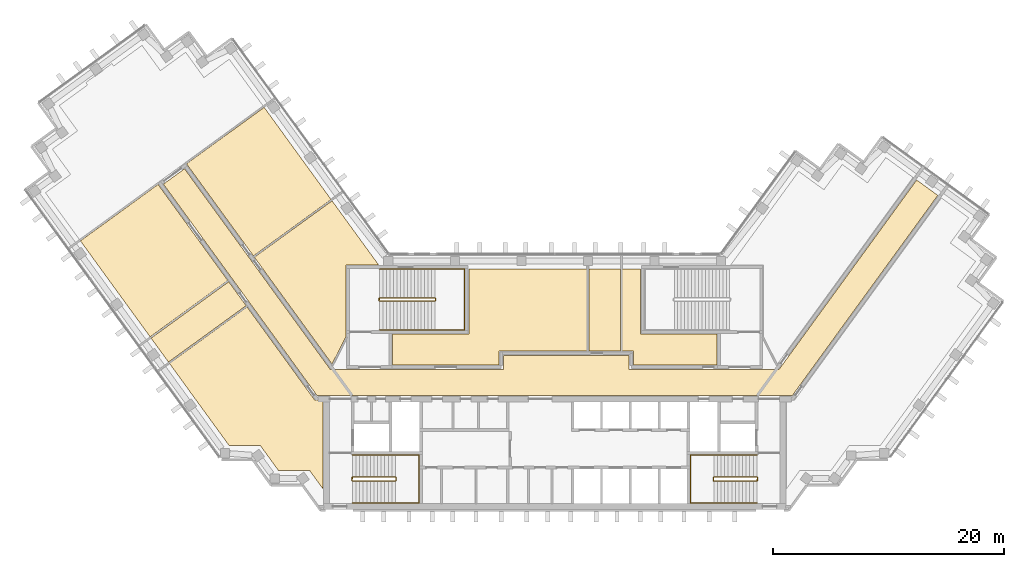
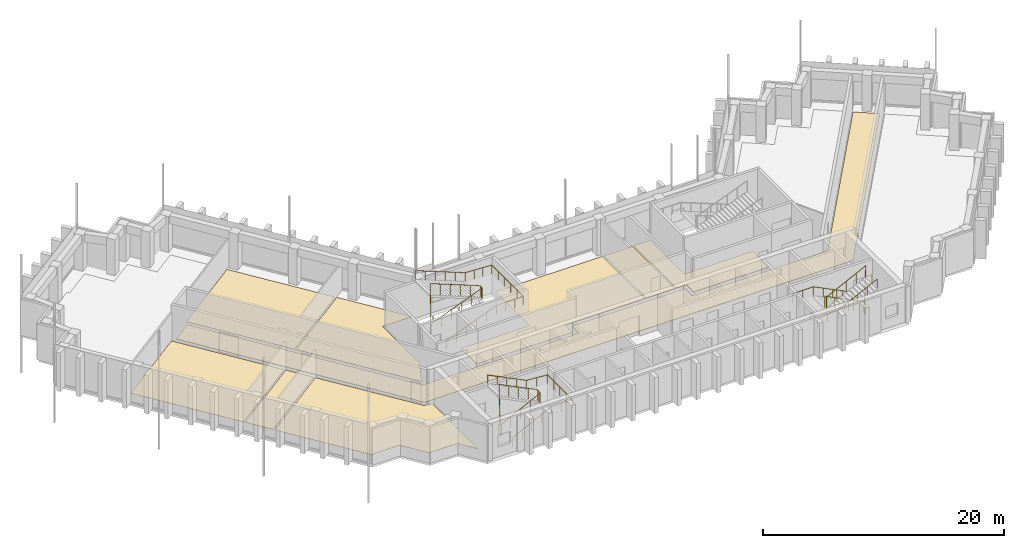
# One storey, part 11 of 12: 9 coverings, 6 railings.
"""IFC4 building model written with IfcOpenShell, lengths in metres."""

from ifc_helpers import new_model, si_unit, direction, frame, origin, origin_2d, place, context, subcontext, project, spatial, polyline, circle, outline, extrude, material, layer, layer_set, type_object, element, save


model = new_model("IFC4")

# Units and contexts
model_context = context("Model", 3, precision=1e-05, world=origin(), true_north=direction((0.0, 1.0)))
body_context = subcontext(model_context, "Body", "Model", "MODEL_VIEW")
ifc_project = project(units=[si_unit("LENGTHUNIT", "METRE"), si_unit("AREAUNIT", "SQUARE_METRE"), si_unit("VOLUMEUNIT", "CUBIC_METRE"), si_unit("PLANEANGLEUNIT", "RADIAN"), si_unit("MASSUNIT", "GRAM", prefix="KILO")], contexts=[model_context])

# Site, building, storey
site_placement = place(None, origin())
site = spatial("IfcSite", under=ifc_project, at=site_placement, CompositionType="ELEMENT")
building_placement = place(site_placement, origin())
building = spatial("IfcBuilding", under=site, at=building_placement, Name="Quipu Civic Tower", CompositionType="ELEMENT")
storey_placement = place(building_placement, frame((0.0, 0.0, 222.0)))
storey = spatial("IfcBuildingStorey", under=building, at=storey_placement, Name="L52", CompositionType="ELEMENT", Elevation=222.0)

# Coverings
ifc_material_1 = material(Name="Carpet tile on raised access floor")
ifc_layer_1 = layer(ifc_material_1, 0.02001953125)
ifc_layer_set_1 = layer_set([ifc_layer_1], Name="Carpet tile on raised access floor")
covering_type_1 = type_object("IfcCoveringType", Name="Carpet tile floor finish 20", PredefinedType="FLOORING", material=ifc_layer_set_1)
covering_1_placement = place(storey_placement, origin())
element("IfcCovering", 1, at=covering_1_placement, inside=storey, type_object=covering_type_1, Name="Carpet tile floor finish 20", PredefinedType="FLOORING", context=body_context, shape_type="SweptSolid", body=[
    extrude(outline(polyline([(-33.344970703125, 1.64501953125), (-26.6220703125, 6.529052734375), (-20.77490234375, -1.51904296875), (-20.070068359375, -1.52001953125), (-20.070068359375, -9.195068359375), (-21.196044921875, -7.64599609375), (-23.89501953125, -7.64599609375), (-25.48193359375, -5.4619140625), (-28.181884765625, -5.4609375), (-33.344970703125, 1.64501953125)])), origin(), (0.0, 0.0, 1.0), 0.02001953125),
])
covering_2_placement = place(storey_placement, origin())
element("IfcCovering", 2, at=covering_2_placement, inside=storey, type_object=covering_type_1, Name="Carpet tile floor finish 20", PredefinedType="FLOORING", context=body_context, shape_type="SweptSolid", body=[
    extrude(outline(polyline([(-14.030029296875, 1.52001953125), (-14.030029296875, 4.179931640625), (-7.429931640625, 4.180908203125), (-7.429931640625, 9.830078125), (2.80908203125, 9.830078125), (2.80908203125, 2.719970703125), (-4.818115234375, 2.719970703125), (-4.820068359375, 1.52001953125), (-14.030029296875, 1.52001953125)])), origin(), (0.0, 0.0, 1.0), 0.02001953125),
])
covering_3_placement = place(storey_placement, origin())
element("IfcCovering", 3, at=covering_3_placement, inside=storey, type_object=covering_type_1, Name="Carpet tile floor finish 20", PredefinedType="FLOORING", context=body_context, shape_type="SweptSolid", body=[
    extrude(outline(polyline([(-41.048095703125, 12.2470703125), (-34.324951171875, 17.131103515625), (-28.2919921875, 8.826904296875), (-35.01611328125, 3.943115234375), (-41.048095703125, 12.2470703125)])), origin(), (0.0, 0.0, 1.0), 0.02001953125),
])
covering_4_placement = place(storey_placement, origin())
element("IfcCovering", 4, at=covering_4_placement, inside=storey, type_object=covering_type_1, Name="Carpet tile floor finish 20", PredefinedType="FLOORING", context=body_context, shape_type="SweptSolid", body=[
    extrude(outline(polyline([(-31.865966796875, 18.9189453125), (-25.14306640625, 23.802978515625), (-19.35107421875, 15.8291015625), (-26.073974609375, 10.946044921875), (-31.865966796875, 18.9189453125)])), origin(), (0.0, 0.0, 1.0), 0.02001953125),
])
ifc_material_2 = material(Name="Ceramic floor tile")
ifc_layer_2 = layer(ifc_material_2, 0.030029296875)
ifc_layer_set_2 = layer_set([ifc_layer_2], Name="Ceramic floor tile")
covering_type_2 = type_object("IfcCoveringType", Name="Ceramic tile floor finish 30", PredefinedType="FLOORING", material=ifc_layer_set_2)
covering_5_placement = place(storey_placement, origin())
element("IfcCovering", 5, at=covering_5_placement, inside=storey, type_object=covering_type_2, Name="Ceramic tile floor finish 30", PredefinedType="FLOORING", context=body_context, shape_type="SweptSolid", body=[
    extrude(outline(polyline([(-25.990966796875, 10.8330078125), (-19.26806640625, 15.716064453125), (-15.238037109375, 10.169921875), (-18.070068359375, 10.1689453125), (-18.070068359375, 3.94189453125), (-19.27197265625, 1.583984375), (-25.990966796875, 10.8330078125)])), origin(), (0.0, 0.0, 1.0), 0.030029296875),
])
covering_6_placement = place(storey_placement, origin())
element("IfcCovering", 6, at=covering_6_placement, inside=storey, type_object=covering_type_2, Name="Ceramic tile floor finish 30", PredefinedType="FLOORING", context=body_context, shape_type="SweptSolid", body=[
    extrude(outline(polyline([(-34.931884765625, 3.830078125), (-28.208984375, 8.714111328125), (-26.705078125, 6.64208984375), (-33.427978515625, 1.758056640625), (-34.931884765625, 3.830078125)])), origin(), (0.0, 0.0, 1.0), 0.030029296875),
])
covering_7_placement = place(storey_placement, origin())
element("IfcCovering", 7, at=covering_7_placement, inside=storey, type_object=covering_type_2, Name="Ceramic tile floor finish 30", PredefinedType="FLOORING", context=body_context, shape_type="SweptSolid", body=[
    extrude(outline(polyline([(2.948974609375, 2.719970703125), (2.948974609375, 9.830078125), (5.68798828125, 9.830078125), (5.68798828125, 2.719970703125), (2.948974609375, 2.719970703125)])), origin(), (0.0, 0.0, 1.0), 0.030029296875),
])
ifc_material_3 = material(Name="Sealed cement screed")
ifc_layer_3 = layer(ifc_material_3, 0.050048828125)
ifc_layer_set_3 = layer_set([ifc_layer_3], Name="Sealed cement screed")
covering_type_3 = type_object("IfcCoveringType", Name="Sealed screed floor finish 50", PredefinedType="FLOORING", material=ifc_layer_set_3)
covering_8_placement = place(storey_placement, origin())
element("IfcCovering", 8, at=covering_8_placement, inside=storey, type_object=covering_type_3, Name="Sealed screed floor finish 50", PredefinedType="FLOORING", context=body_context, shape_type="SweptSolid", body=[
    extrude(outline(polyline([(5.827880859375, 2.719970703125), (5.827880859375, 9.830078125), (7.429931640625, 9.830078125), (7.430908203125, 4.179931640625), (14.030029296875, 4.179931640625), (14.030029296875, 1.52001953125), (6.820068359375, 1.52001953125), (6.820068359375, 2.718994140625), (5.827880859375, 2.719970703125)])), origin(), (0.0, 0.0, 1.0), 0.050048828125),
])

# Railings
ifc_material_4 = material(Name="Stainless steel", Category="steel")
railing_type_1 = type_object("IfcRailingType", Name="Stair guard 1100", PredefinedType="GUARDRAIL", material=ifc_material_4)
railing_1_placement = place(storey_placement, frame((-17.5, -8.550048828125, 0.15380859375)))
element("IfcRailing", 9, at=railing_1_placement, inside=storey, type_object=railing_type_1, Name="Stair 1 guard", PredefinedType="GUARDRAIL", context=body_context, shape_type="SweptSolid", body=[
    extrude(circle(Radius=0.02392578125, at=origin_2d()), frame((0.0, 0.0, 1.076171875), z_axis=(0.895751851347, 0.0, 0.444554407028), x_axis=(0.0, 1.0, 0.0)), (0.0, 0.0, 1.0), 4.15283203125),
    extrude(circle(Radius=0.02392578125, at=origin_2d()), frame((3.719970703125, 0.0, 2.92236328125), z_axis=(0.707106781187, 0.707106781187, 0.0), x_axis=(-0.707106781187, 0.707106781187, 0.0)), (0.0, 0.0, 1.0), 0.07080078125),
    extrude(circle(Radius=0.02392578125, at=origin_2d()), frame((3.77001953125, 0.050048828125, 2.92236328125), z_axis=(0.0, 1.0, 0.0), x_axis=(-1.0, 0.0, 0.0)), (0.0, 0.0, 1.0), 0.25),
    extrude(circle(Radius=0.02392578125, at=origin_2d()), frame((3.77001953125, 0.300048828125, 2.92236328125), z_axis=(-0.295599637079, 0.295599637079, 0.908428152975), x_axis=(-0.707106781187, -0.707106781187, 0.0)), (0.0, 0.0, 1.0), 0.16943359375),
    extrude(circle(Radius=0.02392578125, at=origin_2d()), frame((3.719970703125, 0.35009765625, 3.076171875), z_axis=(-0.895751851347, 0.0, 0.444554407028), x_axis=(0.0, -1.0, 0.0)), (0.0, 0.0, 1.0), 4.15283203125),
    extrude(circle(Radius=0.02392578125, at=origin_2d()), frame((0.0, 0.35009765625, 4.92236328125), z_axis=(-0.012476181752, -0.074796231092, -0.997120789425), x_axis=(0.986372223864, -0.164529134168, 0.0)), (0.0, 0.0, 1.0), 4.011474609375),
    extrude(circle(Radius=0.02392578125, at=origin_2d()), frame((-0.050048828125, 0.050048828125, 0.92236328125), z_axis=(0.0, 1.0, 0.0), x_axis=(-1.0, 0.0, 0.0)), (0.0, 0.0, 1.0), 0.25),
    extrude(circle(Radius=0.02099609375, at=origin_2d()), origin(), (0.0, 0.0, 1.0), 1.052001953125),
    extrude(circle(Radius=0.02099609375, at=origin_2d()), frame((0.929931640625, 0.0, 0.46142578125)), (0.0, 0.0, 1.0), 1.052001953125),
    extrude(circle(Radius=0.02099609375, at=origin_2d()), frame((1.85986328125, 0.0, 0.923095703125)), (0.0, 0.0, 1.0), 1.052001953125),
    extrude(circle(Radius=0.02099609375, at=origin_2d()), frame((2.7900390625, 0.0, 1.384765625)), (0.0, 0.0, 1.0), 1.052001953125),
    extrude(circle(Radius=0.02099609375, at=origin_2d()), frame((3.719970703125, 0.0, 1.84619140625)), (0.0, 0.0, 1.0), 1.052001953125),
    extrude(circle(Radius=0.02099609375, at=origin_2d()), frame((3.77001953125, 0.050048828125, 1.84619140625)), (0.0, 0.0, 1.0), 1.052001953125),
    extrude(circle(Radius=0.02099609375, at=origin_2d()), frame((3.77001953125, 0.300048828125, 1.84619140625)), (0.0, 0.0, 1.0), 1.052001953125),
    extrude(circle(Radius=0.02099609375, at=origin_2d()), frame((3.719970703125, 0.35009765625, 2.0)), (0.0, 0.0, 1.0), 1.052001953125),
    extrude(circle(Radius=0.02099609375, at=origin_2d()), frame((2.7900390625, 0.35009765625, 2.46142578125)), (0.0, 0.0, 1.0), 1.052001953125),
    extrude(circle(Radius=0.02099609375, at=origin_2d()), frame((1.85986328125, 0.35009765625, 2.923095703125)), (0.0, 0.0, 1.0), 1.052001953125),
    extrude(circle(Radius=0.02099609375, at=origin_2d()), frame((0.929931640625, 0.35009765625, 3.384765625)), (0.0, 0.0, 1.0), 1.052001953125),
    extrude(circle(Radius=0.02099609375, at=origin_2d()), frame((0.0, 0.35009765625, 3.84619140625)), (0.0, 0.0, 1.0), 1.052001953125),
    extrude(circle(Radius=0.02099609375, at=origin_2d()), frame((-0.012451171875, 0.275146484375, 2.84619140625)), (0.0, 0.0, 1.0), 1.052001953125),
    extrude(circle(Radius=0.02099609375, at=origin_2d()), frame((-0.02490234375, 0.2001953125, 1.84619140625)), (0.0, 0.0, 1.0), 1.052001953125),
    extrude(circle(Radius=0.02099609375, at=origin_2d()), frame((-0.03759765625, 0.125, 0.84619140625)), (0.0, 0.0, 1.0), 1.052001953125),
    extrude(circle(Radius=0.02099609375, at=origin_2d()), frame((-0.050048828125, 0.050048828125, -0.15380859375)), (0.0, 0.0, 1.0), 1.052001953125),
    extrude(circle(Radius=0.02099609375, at=origin_2d()), frame((-0.050048828125, 0.300048828125, -0.15380859375)), (0.0, 0.0, 1.0), 1.052001953125),
])
railing_2_placement = place(storey_placement, frame((17.5, -8.199951171875, 0.15380859375)))
element("IfcRailing", 10, at=railing_2_placement, inside=storey, type_object=railing_type_1, Name="Stair 2 guard", PredefinedType="GUARDRAIL", context=body_context, shape_type="SweptSolid", body=[
    extrude(circle(Radius=0.02392578125, at=origin_2d()), frame((0.0, 0.0, 1.076171875), z_axis=(-0.895751851347, 0.0, 0.444554407028), x_axis=(0.0, -1.0, 0.0)), (0.0, 0.0, 1.0), 4.15283203125),
    extrude(circle(Radius=0.02392578125, at=origin_2d()), frame((-3.719970703125, 0.0, 2.92236328125), z_axis=(-0.707106781187, -0.707106781187, 0.0), x_axis=(0.707106781187, -0.707106781187, 0.0)), (0.0, 0.0, 1.0), 0.07080078125),
    extrude(circle(Radius=0.02392578125, at=origin_2d()), frame((-3.77001953125, -0.050048828125, 2.92236328125), z_axis=(0.0, -1.0, 0.0), x_axis=(1.0, 0.0, 0.0)), (0.0, 0.0, 1.0), 0.25),
    extrude(circle(Radius=0.02392578125, at=origin_2d()), frame((-3.77001953125, -0.300048828125, 2.92236328125), z_axis=(0.295599637079, -0.295599637079, 0.908428152975), x_axis=(0.707106781187, 0.707106781187, 0.0)), (0.0, 0.0, 1.0), 0.16943359375),
    extrude(circle(Radius=0.02392578125, at=origin_2d()), frame((-3.719970703125, -0.35009765625, 3.076171875), z_axis=(0.895751851347, 0.0, 0.444554407028), x_axis=(0.0, 1.0, 0.0)), (0.0, 0.0, 1.0), 4.15283203125),
    extrude(circle(Radius=0.02392578125, at=origin_2d()), frame((0.0, -0.35009765625, 4.92236328125), z_axis=(0.012476181752, 0.074796231092, -0.997120789425), x_axis=(-0.986372223864, 0.164529134168, 0.0)), (0.0, 0.0, 1.0), 4.011474609375),
    extrude(circle(Radius=0.02392578125, at=origin_2d()), frame((0.050048828125, -0.050048828125, 0.92236328125), z_axis=(0.0, -1.0, 0.0), x_axis=(1.0, 0.0, 0.0)), (0.0, 0.0, 1.0), 0.25),
    extrude(circle(Radius=0.02099609375, at=origin_2d()), origin(), (0.0, 0.0, 1.0), 1.052001953125),
    extrude(circle(Radius=0.02099609375, at=origin_2d()), frame((-0.929931640625, 0.0, 0.46142578125)), (0.0, 0.0, 1.0), 1.052001953125),
    extrude(circle(Radius=0.02099609375, at=origin_2d()), frame((-1.85986328125, 0.0, 0.923095703125)), (0.0, 0.0, 1.0), 1.052001953125),
    extrude(circle(Radius=0.02099609375, at=origin_2d()), frame((-2.7900390625, 0.0, 1.384765625)), (0.0, 0.0, 1.0), 1.052001953125),
    extrude(circle(Radius=0.02099609375, at=origin_2d()), frame((-3.719970703125, 0.0, 1.84619140625)), (0.0, 0.0, 1.0), 1.052001953125),
    extrude(circle(Radius=0.02099609375, at=origin_2d()), frame((-3.77001953125, -0.050048828125, 1.84619140625)), (0.0, 0.0, 1.0), 1.052001953125),
    extrude(circle(Radius=0.02099609375, at=origin_2d()), frame((-3.77001953125, -0.300048828125, 1.84619140625)), (0.0, 0.0, 1.0), 1.052001953125),
    extrude(circle(Radius=0.02099609375, at=origin_2d()), frame((-3.719970703125, -0.35009765625, 2.0)), (0.0, 0.0, 1.0), 1.052001953125),
    extrude(circle(Radius=0.02099609375, at=origin_2d()), frame((-2.7900390625, -0.35009765625, 2.46142578125)), (0.0, 0.0, 1.0), 1.052001953125),
    extrude(circle(Radius=0.02099609375, at=origin_2d()), frame((-1.85986328125, -0.35009765625, 2.923095703125)), (0.0, 0.0, 1.0), 1.052001953125),
    extrude(circle(Radius=0.02099609375, at=origin_2d()), frame((-0.929931640625, -0.35009765625, 3.384765625)), (0.0, 0.0, 1.0), 1.052001953125),
    extrude(circle(Radius=0.02099609375, at=origin_2d()), frame((0.0, -0.35009765625, 3.84619140625)), (0.0, 0.0, 1.0), 1.052001953125),
    extrude(circle(Radius=0.02099609375, at=origin_2d()), frame((0.012451171875, -0.275146484375, 2.84619140625)), (0.0, 0.0, 1.0), 1.052001953125),
    extrude(circle(Radius=0.02099609375, at=origin_2d()), frame((0.02490234375, -0.2001953125, 1.84619140625)), (0.0, 0.0, 1.0), 1.052001953125),
    extrude(circle(Radius=0.02099609375, at=origin_2d()), frame((0.03759765625, -0.125, 0.84619140625)), (0.0, 0.0, 1.0), 1.052001953125),
    extrude(circle(Radius=0.02099609375, at=origin_2d()), frame((0.050048828125, -0.050048828125, -0.15380859375)), (0.0, 0.0, 1.0), 1.052001953125),
    extrude(circle(Radius=0.02099609375, at=origin_2d()), frame((0.050048828125, -0.300048828125, -0.15380859375)), (0.0, 0.0, 1.0), 1.052001953125),
])
railing_3_placement = place(storey_placement, frame((-15.14990234375, 7.050048828125, 0.11767578125)))
element("IfcRailing", 11, at=railing_3_placement, inside=storey, type_object=railing_type_1, Name="Stair 3 guard", PredefinedType="GUARDRAIL", context=body_context, shape_type="SweptSolid", body=[
    extrude(circle(Radius=0.02392578125, at=origin_2d()), frame((0.0, 0.0, 1.076171875), z_axis=(0.930970042603, 0.0, 0.365095576219), x_axis=(0.0, 1.0, 0.0)), (0.0, 0.0, 1.0), 5.15576171875),
    extrude(circle(Radius=0.02392578125, at=origin_2d()), frame((4.7998046875, 0.0, 2.95849609375), z_axis=(0.707106781187, 0.707106781187, 0.0), x_axis=(-0.707106781187, 0.707106781187, 0.0)), (0.0, 0.0, 1.0), 0.07080078125),
    extrude(circle(Radius=0.02392578125, at=origin_2d()), frame((4.849853515625, 0.050048828125, 2.95849609375), z_axis=(0.0, 1.0, 0.0), x_axis=(-1.0, 0.0, 0.0)), (0.0, 0.0, 1.0), 0.14990234375),
    extrude(circle(Radius=0.02392578125, at=origin_2d()), frame((4.849853515625, 0.199951171875, 2.95849609375), z_axis=(-0.364463019033, 0.364463019033, 0.856932561824), x_axis=(-0.707106781187, -0.707106781187, 0.0)), (0.0, 0.0, 1.0), 0.13720703125),
    extrude(circle(Radius=0.02392578125, at=origin_2d()), frame((4.7998046875, 0.25, 3.076171875), z_axis=(-0.930970042603, 0.0, 0.365095576219), x_axis=(0.0, -1.0, 0.0)), (0.0, 0.0, 1.0), 5.15576171875),
    extrude(circle(Radius=0.02392578125, at=origin_2d()), frame((0.0, 0.25, 4.95849609375), z_axis=(-0.012495627992, -0.049921557685, -0.998674970829), x_axis=(0.970072785993, -0.242814311512, 0.0)), (0.0, 0.0, 1.0), 4.00537109375),
    extrude(circle(Radius=0.02392578125, at=origin_2d()), frame((-0.050048828125, 0.050048828125, 0.95849609375), z_axis=(0.0, 1.0, 0.0), x_axis=(-1.0, 0.0, 0.0)), (0.0, 0.0, 1.0), 0.14990234375),
    extrude(circle(Radius=0.02099609375, at=origin_2d()), origin(), (0.0, 0.0, 1.0), 1.052001953125),
    extrude(circle(Radius=0.02099609375, at=origin_2d()), frame((0.9599609375, 0.0, 0.37646484375)), (0.0, 0.0, 1.0), 1.052001953125),
    extrude(circle(Radius=0.02099609375, at=origin_2d()), frame((1.919921875, 0.0, 0.7529296875)), (0.0, 0.0, 1.0), 1.052001953125),
    extrude(circle(Radius=0.02099609375, at=origin_2d()), frame((2.8798828125, 0.0, 1.12939453125)), (0.0, 0.0, 1.0), 1.052001953125),
    extrude(circle(Radius=0.02099609375, at=origin_2d()), frame((3.83984375, 0.0, 1.505859375)), (0.0, 0.0, 1.0), 1.052001953125),
    extrude(circle(Radius=0.02099609375, at=origin_2d()), frame((4.7998046875, 0.0, 1.88232421875)), (0.0, 0.0, 1.0), 1.052001953125),
    extrude(circle(Radius=0.02099609375, at=origin_2d()), frame((4.849853515625, 0.050048828125, 1.88232421875)), (0.0, 0.0, 1.0), 1.052001953125),
    extrude(circle(Radius=0.02099609375, at=origin_2d()), frame((4.849853515625, 0.199951171875, 1.88232421875)), (0.0, 0.0, 1.0), 1.052001953125),
    extrude(circle(Radius=0.02099609375, at=origin_2d()), frame((4.7998046875, 0.25, 2.0)), (0.0, 0.0, 1.0), 1.052001953125),
    extrude(circle(Radius=0.02099609375, at=origin_2d()), frame((3.83984375, 0.25, 2.37646484375)), (0.0, 0.0, 1.0), 1.052001953125),
    extrude(circle(Radius=0.02099609375, at=origin_2d()), frame((2.8798828125, 0.25, 2.7529296875)), (0.0, 0.0, 1.0), 1.052001953125),
    extrude(circle(Radius=0.02099609375, at=origin_2d()), frame((1.919921875, 0.25, 3.12939453125)), (0.0, 0.0, 1.0), 1.052001953125),
    extrude(circle(Radius=0.02099609375, at=origin_2d()), frame((0.9599609375, 0.25, 3.505859375)), (0.0, 0.0, 1.0), 1.052001953125),
    extrude(circle(Radius=0.02099609375, at=origin_2d()), frame((0.0, 0.25, 3.88232421875)), (0.0, 0.0, 1.0), 1.052001953125),
    extrude(circle(Radius=0.02099609375, at=origin_2d()), frame((-0.012451171875, 0.199951171875, 2.88232421875)), (0.0, 0.0, 1.0), 1.052001953125),
    extrude(circle(Radius=0.02099609375, at=origin_2d()), frame((-0.02490234375, 0.14990234375, 1.88232421875)), (0.0, 0.0, 1.0), 1.052001953125),
    extrude(circle(Radius=0.02099609375, at=origin_2d()), frame((-0.03759765625, 0.10009765625, 0.88232421875)), (0.0, 0.0, 1.0), 1.052001953125),
    extrude(circle(Radius=0.02099609375, at=origin_2d()), frame((-0.050048828125, 0.050048828125, -0.11767578125)), (0.0, 0.0, 1.0), 1.052001953125),
    extrude(circle(Radius=0.02099609375, at=origin_2d()), frame((-0.050048828125, 0.199951171875, -0.11767578125)), (0.0, 0.0, 1.0), 1.052001953125),
])
ifc_material_5 = material(Name="Stainless steel", Category="steel")
railing_type_2 = type_object("IfcRailingType", Name="Stair handrail", PredefinedType="HANDRAIL", material=ifc_material_5)
railing_4_placement = place(storey_placement, frame((-17.5, -10.449951171875, 0.15380859375)))
element("IfcRailing", 12, at=railing_4_placement, inside=storey, type_object=railing_type_2, Name="Stair 1 handrail", PredefinedType="HANDRAIL", context=body_context, shape_type="SweptSolid", body=[
    extrude(circle(Radius=0.02392578125, at=origin_2d()), frame((0.0, 0.0, 0.8759765625), z_axis=(0.895751851347, 0.0, 0.444554407028), x_axis=(0.0, 1.0, 0.0)), (0.0, 0.0, 1.0), 4.15283203125),
    extrude(circle(Radius=0.02392578125, at=origin_2d()), frame((3.719970703125, 0.0, 2.72216796875), z_axis=(1.0, 0.0, 0.0), x_axis=(0.0, 1.0, 0.0)), (0.0, 0.0, 1.0), 2.030029296875),
    extrude(circle(Radius=0.02392578125, at=origin_2d()), frame((5.75, 0.0, 2.72216796875), z_axis=(0.0, 1.0, 0.0), x_axis=(-1.0, 0.0, 0.0)), (0.0, 0.0, 1.0), 4.14990234375),
    extrude(circle(Radius=0.02392578125, at=origin_2d()), frame((5.75, 4.14990234375, 2.72216796875), z_axis=(-0.997142003663, 0.0, 0.075550145798), x_axis=(0.0, -1.0, 0.0)), (0.0, 0.0, 1.0), 2.035888671875),
    extrude(circle(Radius=0.02392578125, at=origin_2d()), frame((3.719970703125, 4.14990234375, 2.8759765625), z_axis=(-0.895751851347, 0.0, 0.444554407028), x_axis=(0.0, -1.0, 0.0)), (0.0, 0.0, 1.0), 4.15283203125),
    extrude(circle(Radius=0.02099609375, at=origin_2d()), origin(), (0.0, 0.0, 1.0), 0.851806640625),
    extrude(circle(Radius=0.02099609375, at=origin_2d()), frame((0.929931640625, 0.0, 0.46142578125)), (0.0, 0.0, 1.0), 0.851806640625),
    extrude(circle(Radius=0.02099609375, at=origin_2d()), frame((1.85986328125, 0.0, 0.923095703125)), (0.0, 0.0, 1.0), 0.851806640625),
    extrude(circle(Radius=0.02099609375, at=origin_2d()), frame((2.7900390625, 0.0, 1.384765625)), (0.0, 0.0, 1.0), 0.851806640625),
    extrude(circle(Radius=0.02099609375, at=origin_2d()), frame((3.719970703125, 0.0, 1.84619140625)), (0.0, 0.0, 1.0), 0.851806640625),
    extrude(circle(Radius=0.02099609375, at=origin_2d()), frame((4.73486328125, 0.0, 1.84619140625)), (0.0, 0.0, 1.0), 0.851806640625),
    extrude(circle(Radius=0.02099609375, at=origin_2d()), frame((5.75, 0.0, 1.84619140625)), (0.0, 0.0, 1.0), 0.851806640625),
    extrude(circle(Radius=0.02099609375, at=origin_2d()), frame((5.75, 1.03759765625, 1.84619140625)), (0.0, 0.0, 1.0), 0.851806640625),
    extrude(circle(Radius=0.02099609375, at=origin_2d()), frame((5.75, 2.074951171875, 1.84619140625)), (0.0, 0.0, 1.0), 0.851806640625),
    extrude(circle(Radius=0.02099609375, at=origin_2d()), frame((5.75, 3.1123046875, 1.84619140625)), (0.0, 0.0, 1.0), 0.851806640625),
    extrude(circle(Radius=0.02099609375, at=origin_2d()), frame((5.75, 4.14990234375, 1.84619140625)), (0.0, 0.0, 1.0), 0.851806640625),
    extrude(circle(Radius=0.02099609375, at=origin_2d()), frame((4.73486328125, 4.14990234375, 1.923095703125)), (0.0, 0.0, 1.0), 0.851806640625),
    extrude(circle(Radius=0.02099609375, at=origin_2d()), frame((3.719970703125, 4.14990234375, 2.0)), (0.0, 0.0, 1.0), 0.851806640625),
    extrude(circle(Radius=0.02099609375, at=origin_2d()), frame((2.7900390625, 4.14990234375, 2.46142578125)), (0.0, 0.0, 1.0), 0.851806640625),
    extrude(circle(Radius=0.02099609375, at=origin_2d()), frame((1.85986328125, 4.14990234375, 2.923095703125)), (0.0, 0.0, 1.0), 0.851806640625),
    extrude(circle(Radius=0.02099609375, at=origin_2d()), frame((0.929931640625, 4.14990234375, 3.384765625)), (0.0, 0.0, 1.0), 0.851806640625),
    extrude(circle(Radius=0.02099609375, at=origin_2d()), frame((0.0, 4.14990234375, 3.84619140625)), (0.0, 0.0, 1.0), 0.851806640625),
])
railing_5_placement = place(storey_placement, frame((17.5, -6.300048828125, 0.15380859375)))
element("IfcRailing", 13, at=railing_5_placement, inside=storey, type_object=railing_type_2, Name="Stair 2 handrail", PredefinedType="HANDRAIL", context=body_context, shape_type="SweptSolid", body=[
    extrude(circle(Radius=0.02392578125, at=origin_2d()), frame((0.0, 0.0, 0.8759765625), z_axis=(-0.895751851347, 0.0, 0.444554407028), x_axis=(0.0, -1.0, 0.0)), (0.0, 0.0, 1.0), 4.15283203125),
    extrude(circle(Radius=0.02392578125, at=origin_2d()), frame((-3.719970703125, 0.0, 2.72216796875), z_axis=(-1.0, 0.0, 0.0), x_axis=(0.0, -1.0, 0.0)), (0.0, 0.0, 1.0), 2.030029296875),
    extrude(circle(Radius=0.02392578125, at=origin_2d()), frame((-5.75, 0.0, 2.72216796875), z_axis=(0.0, -1.0, 0.0), x_axis=(1.0, 0.0, 0.0)), (0.0, 0.0, 1.0), 4.14990234375),
    extrude(circle(Radius=0.02392578125, at=origin_2d()), frame((-5.75, -4.14990234375, 2.72216796875), z_axis=(0.997142003663, 0.0, 0.075550145798), x_axis=(0.0, 1.0, 0.0)), (0.0, 0.0, 1.0), 2.035888671875),
    extrude(circle(Radius=0.02392578125, at=origin_2d()), frame((-3.719970703125, -4.14990234375, 2.8759765625), z_axis=(0.895751851347, 0.0, 0.444554407028), x_axis=(0.0, 1.0, 0.0)), (0.0, 0.0, 1.0), 4.15283203125),
    extrude(circle(Radius=0.02099609375, at=origin_2d()), origin(), (0.0, 0.0, 1.0), 0.851806640625),
    extrude(circle(Radius=0.02099609375, at=origin_2d()), frame((-0.929931640625, 0.0, 0.46142578125)), (0.0, 0.0, 1.0), 0.851806640625),
    extrude(circle(Radius=0.02099609375, at=origin_2d()), frame((-1.85986328125, 0.0, 0.923095703125)), (0.0, 0.0, 1.0), 0.851806640625),
    extrude(circle(Radius=0.02099609375, at=origin_2d()), frame((-2.7900390625, 0.0, 1.384765625)), (0.0, 0.0, 1.0), 0.851806640625),
    extrude(circle(Radius=0.02099609375, at=origin_2d()), frame((-3.719970703125, 0.0, 1.84619140625)), (0.0, 0.0, 1.0), 0.851806640625),
    extrude(circle(Radius=0.02099609375, at=origin_2d()), frame((-4.73486328125, 0.0, 1.84619140625)), (0.0, 0.0, 1.0), 0.851806640625),
    extrude(circle(Radius=0.02099609375, at=origin_2d()), frame((-5.75, 0.0, 1.84619140625)), (0.0, 0.0, 1.0), 0.851806640625),
    extrude(circle(Radius=0.02099609375, at=origin_2d()), frame((-5.75, -1.03759765625, 1.84619140625)), (0.0, 0.0, 1.0), 0.851806640625),
    extrude(circle(Radius=0.02099609375, at=origin_2d()), frame((-5.75, -2.074951171875, 1.84619140625)), (0.0, 0.0, 1.0), 0.851806640625),
    extrude(circle(Radius=0.02099609375, at=origin_2d()), frame((-5.75, -3.1123046875, 1.84619140625)), (0.0, 0.0, 1.0), 0.851806640625),
    extrude(circle(Radius=0.02099609375, at=origin_2d()), frame((-5.75, -4.14990234375, 1.84619140625)), (0.0, 0.0, 1.0), 0.851806640625),
    extrude(circle(Radius=0.02099609375, at=origin_2d()), frame((-4.73486328125, -4.14990234375, 1.923095703125)), (0.0, 0.0, 1.0), 0.851806640625),
    extrude(circle(Radius=0.02099609375, at=origin_2d()), frame((-3.719970703125, -4.14990234375, 2.0)), (0.0, 0.0, 1.0), 0.851806640625),
    extrude(circle(Radius=0.02099609375, at=origin_2d()), frame((-2.7900390625, -4.14990234375, 2.46142578125)), (0.0, 0.0, 1.0), 0.851806640625),
    extrude(circle(Radius=0.02099609375, at=origin_2d()), frame((-1.85986328125, -4.14990234375, 2.923095703125)), (0.0, 0.0, 1.0), 0.851806640625),
    extrude(circle(Radius=0.02099609375, at=origin_2d()), frame((-0.929931640625, -4.14990234375, 3.384765625)), (0.0, 0.0, 1.0), 0.851806640625),
    extrude(circle(Radius=0.02099609375, at=origin_2d()), frame((0.0, -4.14990234375, 3.84619140625)), (0.0, 0.0, 1.0), 0.851806640625),
])
railing_6_placement = place(storey_placement, frame((-15.14990234375, 4.550048828125, 0.11767578125)))
element("IfcRailing", 14, at=railing_6_placement, inside=storey, type_object=railing_type_2, Name="Stair 3 handrail", PredefinedType="HANDRAIL", context=body_context, shape_type="SweptSolid", body=[
    extrude(circle(Radius=0.02392578125, at=origin_2d()), frame((0.0, 0.0, 0.8759765625), z_axis=(0.930970042603, 0.0, 0.365095576219), x_axis=(0.0, 1.0, 0.0)), (0.0, 0.0, 1.0), 5.15576171875),
    extrude(circle(Radius=0.02392578125, at=origin_2d()), frame((4.7998046875, 0.0, 2.75830078125), z_axis=(1.0, 0.0, 0.0), x_axis=(0.0, 1.0, 0.0)), (0.0, 0.0, 1.0), 2.550048828125),
    extrude(circle(Radius=0.02392578125, at=origin_2d()), frame((7.349853515625, 0.0, 2.75830078125), z_axis=(0.0, 1.0, 0.0), x_axis=(-1.0, 0.0, 0.0)), (0.0, 0.0, 1.0), 5.25),
    extrude(circle(Radius=0.02392578125, at=origin_2d()), frame((7.349853515625, 5.25, 2.75830078125), z_axis=(-0.998936948642, 0.0, 0.04609742549), x_axis=(0.0, -1.0, 0.0)), (0.0, 0.0, 1.0), 2.552734375),
    extrude(circle(Radius=0.02392578125, at=origin_2d()), frame((4.7998046875, 5.25, 2.8759765625), z_axis=(-0.930970042603, 0.0, 0.365095576219), x_axis=(0.0, -1.0, 0.0)), (0.0, 0.0, 1.0), 5.15576171875),
    extrude(circle(Radius=0.02099609375, at=origin_2d()), origin(), (0.0, 0.0, 1.0), 0.851806640625),
    extrude(circle(Radius=0.02099609375, at=origin_2d()), frame((0.9599609375, 0.0, 0.37646484375)), (0.0, 0.0, 1.0), 0.851806640625),
    extrude(circle(Radius=0.02099609375, at=origin_2d()), frame((1.919921875, 0.0, 0.7529296875)), (0.0, 0.0, 1.0), 0.851806640625),
    extrude(circle(Radius=0.02099609375, at=origin_2d()), frame((2.8798828125, 0.0, 1.12939453125)), (0.0, 0.0, 1.0), 0.851806640625),
    extrude(circle(Radius=0.02099609375, at=origin_2d()), frame((3.83984375, 0.0, 1.505859375)), (0.0, 0.0, 1.0), 0.851806640625),
    extrude(circle(Radius=0.02099609375, at=origin_2d()), frame((4.7998046875, 0.0, 1.88232421875)), (0.0, 0.0, 1.0), 0.851806640625),
    extrude(circle(Radius=0.02099609375, at=origin_2d()), frame((5.64990234375, 0.0, 1.88232421875)), (0.0, 0.0, 1.0), 0.851806640625),
    extrude(circle(Radius=0.02099609375, at=origin_2d()), frame((6.499755859375, 0.0, 1.88232421875)), (0.0, 0.0, 1.0), 0.851806640625),
    extrude(circle(Radius=0.02099609375, at=origin_2d()), frame((7.349853515625, 0.0, 1.88232421875)), (0.0, 0.0, 1.0), 0.851806640625),
    extrude(circle(Radius=0.02099609375, at=origin_2d()), frame((7.349853515625, 1.050048828125, 1.88232421875)), (0.0, 0.0, 1.0), 0.851806640625),
    extrude(circle(Radius=0.02099609375, at=origin_2d()), frame((7.349853515625, 2.10009765625, 1.88232421875)), (0.0, 0.0, 1.0), 0.851806640625),
    extrude(circle(Radius=0.02099609375, at=origin_2d()), frame((7.349853515625, 3.14990234375, 1.88232421875)), (0.0, 0.0, 1.0), 0.851806640625),
    extrude(circle(Radius=0.02099609375, at=origin_2d()), frame((7.349853515625, 4.199951171875, 1.88232421875)), (0.0, 0.0, 1.0), 0.851806640625),
    extrude(circle(Radius=0.02099609375, at=origin_2d()), frame((7.349853515625, 5.25, 1.88232421875)), (0.0, 0.0, 1.0), 0.851806640625),
    extrude(circle(Radius=0.02099609375, at=origin_2d()), frame((6.499755859375, 5.25, 1.921630859375)), (0.0, 0.0, 1.0), 0.851806640625),
    extrude(circle(Radius=0.02099609375, at=origin_2d()), frame((5.64990234375, 5.25, 1.960693359375)), (0.0, 0.0, 1.0), 0.851806640625),
    extrude(circle(Radius=0.02099609375, at=origin_2d()), frame((4.7998046875, 5.25, 2.0)), (0.0, 0.0, 1.0), 0.851806640625),
    extrude(circle(Radius=0.02099609375, at=origin_2d()), frame((3.83984375, 5.25, 2.37646484375)), (0.0, 0.0, 1.0), 0.851806640625),
    extrude(circle(Radius=0.02099609375, at=origin_2d()), frame((2.8798828125, 5.25, 2.7529296875)), (0.0, 0.0, 1.0), 0.851806640625),
    extrude(circle(Radius=0.02099609375, at=origin_2d()), frame((1.919921875, 5.25, 3.12939453125)), (0.0, 0.0, 1.0), 0.851806640625),
    extrude(circle(Radius=0.02099609375, at=origin_2d()), frame((0.9599609375, 5.25, 3.505859375)), (0.0, 0.0, 1.0), 0.851806640625),
    extrude(circle(Radius=0.02099609375, at=origin_2d()), frame((0.0, 5.25, 3.88232421875)), (0.0, 0.0, 1.0), 0.851806640625),
])

# Covering
ifc_material_6 = material(Name="Terrazzo floor finish")
ifc_layer_4 = layer(ifc_material_6, 0.0400390625)
ifc_layer_set_4 = layer_set([ifc_layer_4], Name="Terrazzo floor finish")
covering_type_4 = type_object("IfcCoveringType", Name="Terrazzo floor finish 40", PredefinedType="FLOORING", material=ifc_layer_set_4)
covering_9_placement = place(storey_placement, origin())
element("IfcCovering", 15, at=covering_9_placement, inside=storey, type_object=covering_type_4, Name="Terrazzo floor finish 40", PredefinedType="FLOORING", context=body_context, shape_type="SweptSolid", body=[
    extrude(outline(polyline([(6.429931640625, 1.1298828125), (19.425048828125, 1.1298828125), (31.3291015625, 17.51611328125), (33.157958984375, 16.18798828125), (20.574951171875, -1.1298828125), (-20.574951171875, -1.1298828125), (-33.863037109375, 17.158935546875), (-32.033935546875, 18.487060546875), (-19.425048828125, 1.1298828125), (-4.429931640625, 1.1298828125), (-4.429931640625, 2.330078125), (6.429931640625, 2.330078125), (6.429931640625, 1.1298828125)])), origin(), (0.0, 0.0, 1.0), 0.0400390625),
])

save(model, "model.ifc")
